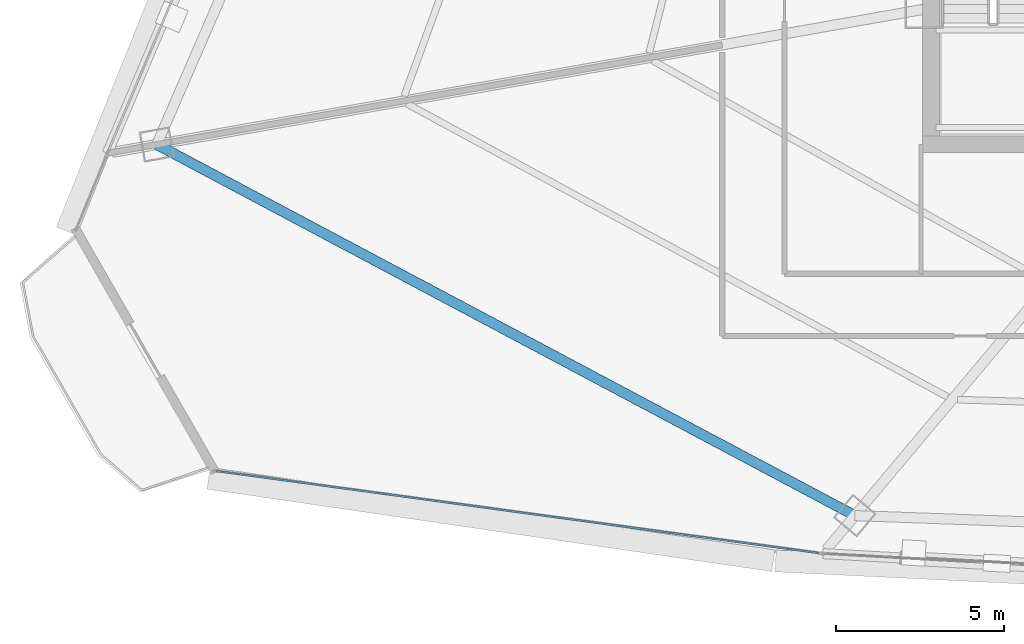
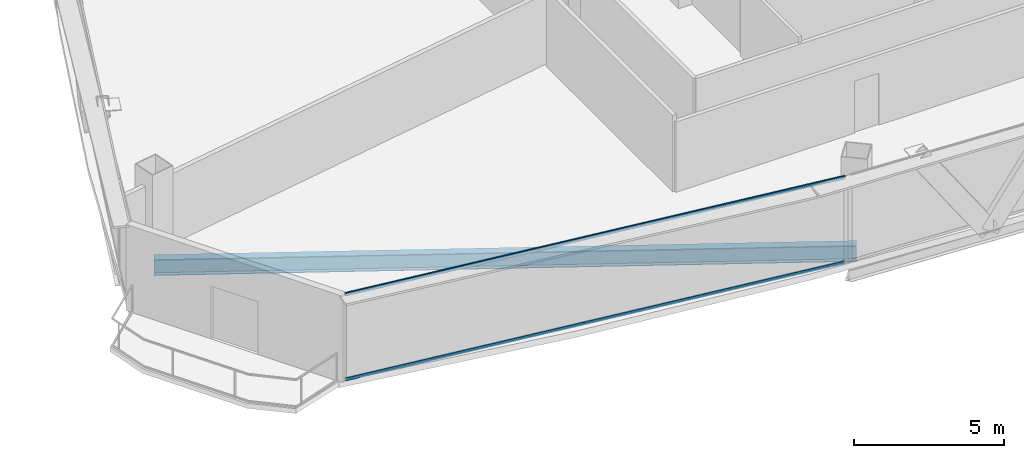
# One storey, part 3 of 36: 2 members, 1 beam, 1 element without a shape of its own.
"""IFC4 building model written with IfcOpenShell, lengths in metres."""

from ifc_helpers import new_model, si_unit, direction, frame, origin, origin_2d, place, context, subcontext, project, spatial, hollow_rectangle, i_section, extrude, source, transform, mapped, material, layer, layer_set, material_profile, profile_set, type_object, element, aggregate, save


model = new_model("IFC4")

# Units and contexts
model_context = context("Model", 3, precision=1e-05, world=origin(), true_north=direction((0.0, 1.0)))
body_context = subcontext(model_context, "Body", "Model", "MODEL_VIEW")
ifc_project = project(units=[si_unit("LENGTHUNIT", "METRE"), si_unit("AREAUNIT", "SQUARE_METRE"), si_unit("VOLUMEUNIT", "CUBIC_METRE"), si_unit("PLANEANGLEUNIT", "RADIAN"), si_unit("MASSUNIT", "GRAM", prefix="KILO"), si_unit("THERMODYNAMICTEMPERATUREUNIT", "KELVIN"), si_unit("POWERUNIT", "WATT")], contexts=[model_context])

# Site, building, storey
site_placement = place(None, origin())
site = spatial("IfcSite", under=ifc_project, at=site_placement, CompositionType="ELEMENT")
building_placement = place(site_placement, origin())
building = spatial("IfcBuilding", under=site, at=building_placement, Name="Yunzhuo Pagoda Commons", CompositionType="ELEMENT")
storey_placement = place(building_placement, frame((0.0, 0.0, 215.159912109375)))
storey = spatial("IfcBuildingStorey", under=building, at=storey_placement, Name="L54", CompositionType="ELEMENT", Elevation=215.159912109375)

# Beam
ifc_material_1 = material(Name="Structural steel Q355B", Category="steel")
ifc_material_profile_1 = material_profile(ifc_material_1, i_section(OverallWidth=0.300048828125, OverallDepth=0.64990234375, WebThickness=0.012939453125, FlangeThickness=0.02197265625, at=origin_2d()), Name="Structural steel Q355B")
ifc_profile_set_1 = profile_set([ifc_material_profile_1], Name="Structural steel Q355B")
beam_type = type_object("IfcBeamType", Name="B-RG2 Beam HN 650x300x13x22", PredefinedType="BEAM", material=ifc_profile_set_1)
shared_shape_1 = source(origin(), body_context, "Body", "SweptSolid", [
    extrude(i_section(OverallWidth=0.300048828125, OverallDepth=0.64990234375, WebThickness=0.012939453125, FlangeThickness=0.02197265625, at=origin_2d()), origin(), (0.0, 0.0, 1.0), 23.49365234375),
])
beam_placement = place(storey_placement, frame((12.79345703125, 27.492431640625, -0.5849609375), z_axis=(0.883016269865, -0.469342377325, 0.0), x_axis=(0.469342377325, 0.883016269865, 0.0)))
element("IfcBeam", 1, at=beam_placement, inside=storey, type_object=beam_type, Name="L54 column-ring beam 12", PredefinedType="BEAM", context=body_context, shape_type="MappedRepresentation", body=[
    mapped(shared_shape_1, transform((0.0, 0.0, 0.0), scale=1.0)),
])

# Curtain wall, members
ifc_material_2 = material(Name="Anodized aluminium 6063-T6", Category="aluminium")
ifc_layer = layer(ifc_material_2, 0.14990234375)
ifc_layer_set = layer_set([ifc_layer], Name="Anodized aluminium 6063-T6")
curtain_wall_type = type_object("IfcCurtainWallType", Name="CW-MID Mid-Zone Ribbon Curtain Wall", PredefinedType="NOTDEFINED", material=ifc_layer_set)
curtain_wall_placement = place(storey_placement, origin())
curtain_wall = element("IfcCurtainWall", 2, at=curtain_wall_placement, inside=storey, type_object=curtain_wall_type, Name="L54 curtain wall CW-L54-F1B1", PredefinedType="NOTDEFINED")
ifc_material_profile_2 = material_profile(ifc_material_2, hollow_rectangle(XDim=0.054931640625, YDim=0.1298828125, WallThickness=0.00341796875, at=origin_2d()), Name="Anodized aluminium 6063-T6")
ifc_profile_set_2 = profile_set([ifc_material_profile_2], Name="Anodized aluminium 6063-T6")
member_type = type_object("IfcMemberType", Name="CW-MID-T Transom RHS 130x55x3.5", PredefinedType="USERDEFINED", material=ifc_profile_set_2)
shared_shape_2 = source(origin(), body_context, "Body", "SweptSolid", [
    extrude(hollow_rectangle(XDim=0.054931640625, YDim=0.1298828125, WallThickness=0.00341796875, at=origin_2d()), origin(), (0.0, 0.0, 1.0), 18.055908203125),
])
member_1_placement = place(storey_placement, frame((14.56640625, 17.789306640625, 0.027587890625), z_axis=(0.990866089619, -0.134849517771, 0.0), x_axis=(0.134849517771, 0.990866089619, 0.0)))
member_1 = element("IfcMember", 3, at=member_1_placement, type_object=member_type, Name="CW transom 1.1", ObjectType="TRANSOM", PredefinedType="USERDEFINED", context=body_context, shape_type="MappedRepresentation", body=[
    mapped(shared_shape_2, transform((0.0, 0.0, 0.0), scale=1.0)),
])
member_2_placement = place(storey_placement, frame((14.56640625, 17.789306640625, 3.49267578125), z_axis=(0.990866089619, -0.134849517771, 0.0), x_axis=(0.134849517771, 0.990866089619, 0.0)))
member_2 = element("IfcMember", 4, at=member_2_placement, type_object=member_type, Name="CW transom 1.2", ObjectType="TRANSOM", PredefinedType="USERDEFINED", context=body_context, shape_type="MappedRepresentation", body=[
    mapped(shared_shape_2, transform((0.0, 0.0, 0.0), scale=1.0)),
])
aggregate(curtain_wall, [member_1, member_2])

save(model, "model.ifc")
